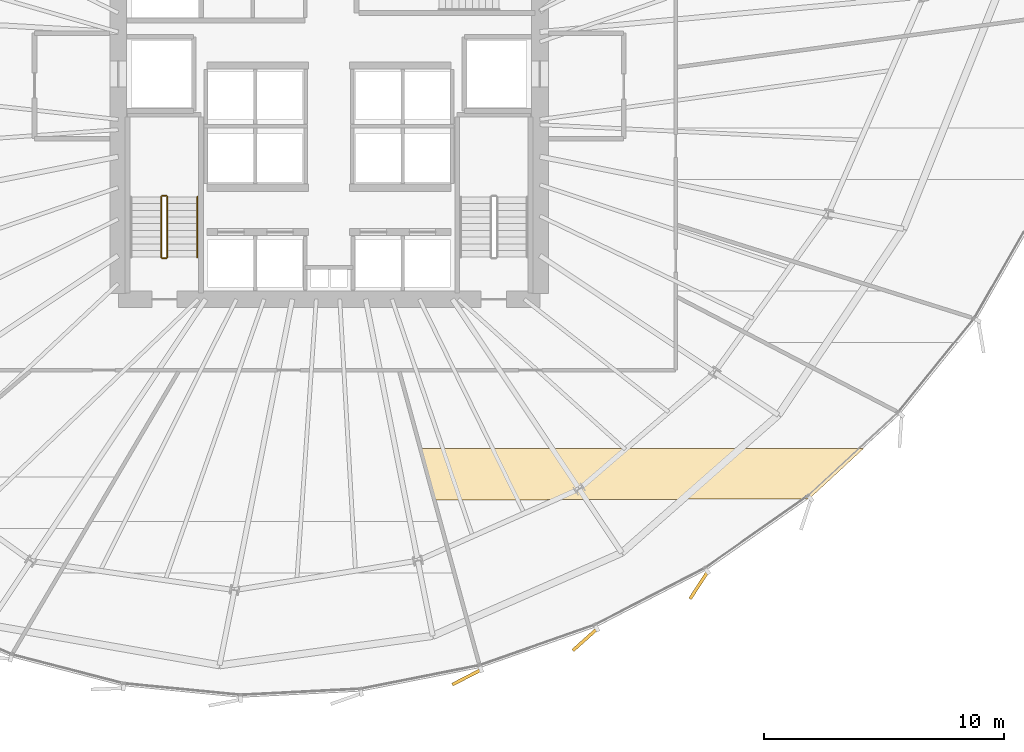
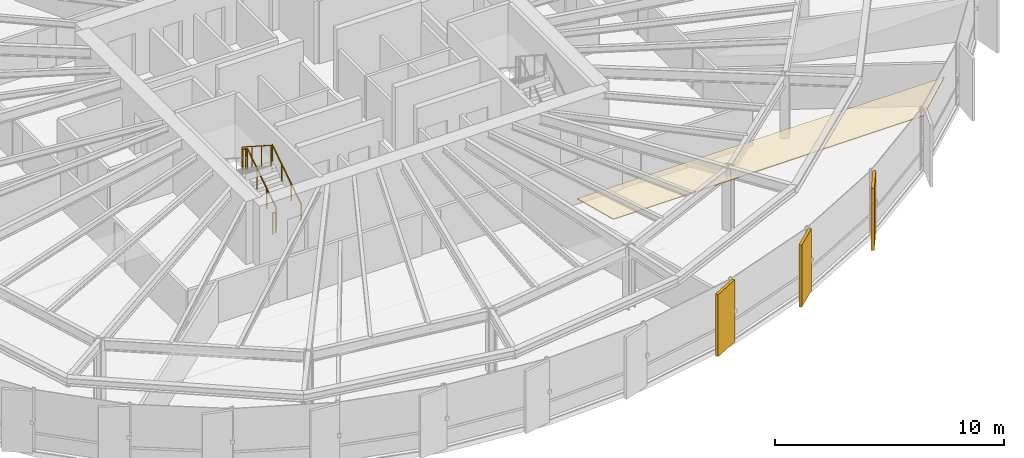
# One storey, part 32 of 35: 5 railings, 4 coverings.
"""IFC4 building model written with IfcOpenShell, lengths in metres."""

from ifc_helpers import new_model, si_unit, direction, frame, origin, origin_2d, place, context, subcontext, project, spatial, polyline, rectangle, circle, outline, extrude, source, transform, mapped, material, layer, layer_set, type_object, element, save


model = new_model("IFC4")

# Units and contexts
model_context = context("Model", 3, precision=1e-05, world=origin(), true_north=direction((0.0, 1.0)))
body_context = subcontext(model_context, "Body", "Model", "MODEL_VIEW")
ifc_project = project(units=[si_unit("LENGTHUNIT", "METRE"), si_unit("AREAUNIT", "SQUARE_METRE"), si_unit("VOLUMEUNIT", "CUBIC_METRE"), si_unit("PLANEANGLEUNIT", "RADIAN"), si_unit("MASSUNIT", "GRAM", prefix="KILO"), si_unit("THERMODYNAMICTEMPERATUREUNIT", "KELVIN")], contexts=[model_context])

# Site, building, storey
site_placement = place(None, origin())
site = spatial("IfcSite", under=ifc_project, at=site_placement, CompositionType="ELEMENT")
building_placement = place(site_placement, origin())
building = spatial("IfcBuilding", under=site, at=building_placement, Name="Kethvar Cultural Tower", CompositionType="ELEMENT")
storey_placement = place(building_placement, frame((0.0, 0.0, 96.39990234375)))
storey = spatial("IfcBuildingStorey", under=building, at=storey_placement, Name="L23", CompositionType="ELEMENT", Elevation=96.39990234375)

# Covering
ifc_material_1 = material(Name="Acoustic Mineral Fibre Ceiling")
ifc_layer_1 = layer(ifc_material_1, 0.0400390625, Name="Acoustic Mineral Fibre Ceiling")
ifc_layer_set_1 = layer_set([ifc_layer_1], Name="Acoustic Mineral Fibre Ceiling (40 mm)")
covering_type_1 = type_object("IfcCoveringType", Name="CV-ACOUSTIC-CEIL", PredefinedType="CEILING", material=ifc_layer_set_1)
covering_placement = place(storey_placement, frame((0.0, 0.0, 2.89013671875)))
element("IfcCovering", 1, at=covering_placement, inside=storey, type_object=covering_type_1, Name="L23 Room 03 Acoustic Ceiling Panel", PredefinedType="CEILING", context=body_context, shape_type="SweptSolid", body=[
    extrude(outline(polyline([(66.846435546875, 11.76708984375), (51.181396484375, 11.708251953125), (50.59326171875, 13.8583984375), (69.106689453125, 13.8583984375), (66.846435546875, 11.76708984375)])), origin(), (0.0, 0.0, 1.0), 0.0400390625),
])

# Railings
ifc_material_2 = material(Name="Steel S355J2", Category="steel")
railing_type_1 = type_object("IfcRailingType", Name="RL-STAIR-GUARD", PredefinedType="BALUSTRADE", material=ifc_material_2)
railing_1_placement = place(storey_placement, frame((40.050048828125, 21.85009765625, 0.18017578125)))
element("IfcRailing", 2, at=railing_1_placement, inside=storey, type_object=railing_type_1, Name="L23 ST-01 stair guard 1", PredefinedType="BALUSTRADE", context=body_context, shape_type="SweptSolid", body=[
    extrude(circle(Radius=0.02392578125, at=origin_2d()), frame((0.0, 0.0, 1.09619140625), z_axis=(0.0, 0.841199657755, 0.540724639528), x_axis=(-1.0, 0.0, 0.0)), (0.0, 0.0, 1.0), 2.995849609375),
    extrude(circle(Radius=0.02099609375, at=origin_2d()), origin(), (0.0, 0.0, 1.0), 1.072021484375),
    extrude(circle(Radius=0.02099609375, at=origin_2d()), frame((0.0, 0.840087890625, 0.5400390625)), (0.0, 0.0, 1.0), 1.072021484375),
    extrude(circle(Radius=0.02099609375, at=origin_2d()), frame((0.0, 1.679931640625, 1.079833984375)), (0.0, 0.0, 1.0), 1.072021484375),
    extrude(circle(Radius=0.02099609375, at=origin_2d()), frame((0.0, 2.52001953125, 1.619873046875)), (0.0, 0.0, 1.0), 1.072021484375),
])
railing_2_placement = place(storey_placement, frame((40.0, 24.419921875, 1.800048828125)))
element("IfcRailing", 3, at=railing_2_placement, inside=storey, type_object=railing_type_1, Name="L23 ST-01 stair guard 2", PredefinedType="BALUSTRADE", context=body_context, shape_type="SweptSolid", body=[
    extrude(circle(Radius=0.02392578125, at=origin_2d()), frame((0.0, 0.0, 1.09619140625), z_axis=(-1.0, 0.0, 0.0), x_axis=(0.0, -1.0, 0.0)), (0.0, 0.0, 1.0), 0.159912109375),
    extrude(circle(Radius=0.02099609375, at=origin_2d()), origin(), (0.0, 0.0, 1.0), 1.072021484375),
    extrude(circle(Radius=0.02099609375, at=origin_2d()), frame((-0.159912109375, 0.0, 0.0)), (0.0, 0.0, 1.0), 1.072021484375),
])
railing_3_placement = place(storey_placement, frame((39.7900390625, 24.3701171875, 1.97998046875)))
element("IfcRailing", 4, at=railing_3_placement, inside=storey, type_object=railing_type_1, Name="L23 ST-01 stair guard 3", PredefinedType="BALUSTRADE", context=body_context, shape_type="SweptSolid", body=[
    extrude(circle(Radius=0.02392578125, at=origin_2d()), frame((0.0, 0.0, 1.09619140625), z_axis=(0.0, -0.841162588446, 0.540782303519), x_axis=(1.0, 0.0, 0.0)), (0.0, 0.0, 1.0), 2.995849609375),
    extrude(circle(Radius=0.02099609375, at=origin_2d()), origin(), (0.0, 0.0, 1.0), 1.072021484375),
    extrude(circle(Radius=0.02099609375, at=origin_2d()), frame((0.0, -0.840087890625, 0.5400390625)), (0.0, 0.0, 1.0), 1.072021484375),
    extrude(circle(Radius=0.02099609375, at=origin_2d()), frame((0.0, -1.679931640625, 1.080078125)), (0.0, 0.0, 1.0), 1.072021484375),
    extrude(circle(Radius=0.02099609375, at=origin_2d()), frame((0.0, -2.52001953125, 1.6201171875)), (0.0, 0.0, 1.0), 1.072021484375),
])
railing_4_placement = place(storey_placement, frame((40.0, 21.800048828125, 0.0)))
element("IfcRailing", 5, at=railing_4_placement, inside=storey, type_object=railing_type_1, Name="L23 ST-01 stair guard 4", PredefinedType="BALUSTRADE", context=body_context, shape_type="SweptSolid", body=[
    extrude(circle(Radius=0.02392578125, at=origin_2d()), frame((0.0, 0.0, 1.09619140625), z_axis=(-1.0, 0.0, 0.0), x_axis=(0.0, -1.0, 0.0)), (0.0, 0.0, 1.0), 0.159912109375),
    extrude(circle(Radius=0.02099609375, at=origin_2d()), origin(), (0.0, 0.0, 1.0), 1.072021484375),
    extrude(circle(Radius=0.02099609375, at=origin_2d()), frame((-0.159912109375, 0.0, 0.0)), (0.0, 0.0, 1.0), 1.072021484375),
])
railing_type_2 = type_object("IfcRailingType", Name="RL-STAIR-HANDRAIL", PredefinedType="HANDRAIL", material=ifc_material_2)
railing_5_placement = place(storey_placement, frame((41.300048828125, 21.85009765625, 0.18017578125)))
element("IfcRailing", 6, at=railing_5_placement, inside=storey, type_object=railing_type_2, Name="L23 ST-01 stair handrail 1", PredefinedType="HANDRAIL", context=body_context, shape_type="SweptSolid", body=[
    extrude(circle(Radius=0.02392578125, at=origin_2d()), frame((0.0, 0.0, 0.8759765625), z_axis=(0.0, 0.841199657755, 0.540724639528), x_axis=(-1.0, 0.0, 0.0)), (0.0, 0.0, 1.0), 2.995849609375),
    extrude(circle(Radius=0.02099609375, at=origin_2d()), origin(), (0.0, 0.0, 1.0), 0.851806640625),
    extrude(circle(Radius=0.02099609375, at=origin_2d()), frame((0.0, 0.840087890625, 0.5400390625)), (0.0, 0.0, 1.0), 0.851806640625),
    extrude(circle(Radius=0.02099609375, at=origin_2d()), frame((0.0, 1.679931640625, 1.079833984375)), (0.0, 0.0, 1.0), 0.851806640625),
    extrude(circle(Radius=0.02099609375, at=origin_2d()), frame((0.0, 2.52001953125, 1.619873046875)), (0.0, 0.0, 1.0), 0.851806640625),
])

# Coverings
ifc_material_3 = material(Name="Extruded Architectural Terracotta", Category="masonry")
ifc_layer_2 = layer(ifc_material_3, 0.135009765625, Name="Extruded Architectural Terracotta", Category="masonry")
ifc_layer_set_2 = layer_set([ifc_layer_2], Name="Extruded Architectural Terracotta (135 mm)")
covering_type_2 = type_object("IfcCoveringType", Name="Terracotta Facade Fin FIN-02", PredefinedType="CLADDING", material=ifc_layer_set_2)
shared_shape = source(origin(), body_context, "Body", "SweptSolid", [
    extrude(rectangle(XDim=1.35009765625, YDim=0.135009765625, at=origin_2d()), origin(), (0.0, 0.0, 1.0), 3.31005859375),
])
for number, where, z_axis, x_axis, name in (
    (7, (52.545166015625, 4.319580078125, 0.02001953125), (0.0, 0.0, 1.0), (-0.888056223469, -0.459734862673, 0.0), "L23 Vertical Terracotta Fin 5.4"),
    (8, (57.481201171875, 5.883056640625, 0.02001953125), (0.0, 0.0, 1.0), (-0.745708617985, -0.666272209433, 0.0), "L23 Vertical Terracotta Fin 5.5"),
    (9, (62.235107421875, 8.1533203125, 0.02001953125), (0.0, 0.0, 1.0), (-0.545224404752, -0.838290133822, 0.0), "L23 Vertical Terracotta Fin 5.6"),
):
    element("IfcCovering", number, at=place(storey_placement, frame(where, z_axis=z_axis, x_axis=x_axis)), inside=storey, type_object=covering_type_2, Name=name, PredefinedType="CLADDING", context=body_context, shape_type="MappedRepresentation", body=[
        mapped(shared_shape, transform((0.0, 0.0, 0.0), scale=1.0)),
    ])

save(model, "model.ifc")
